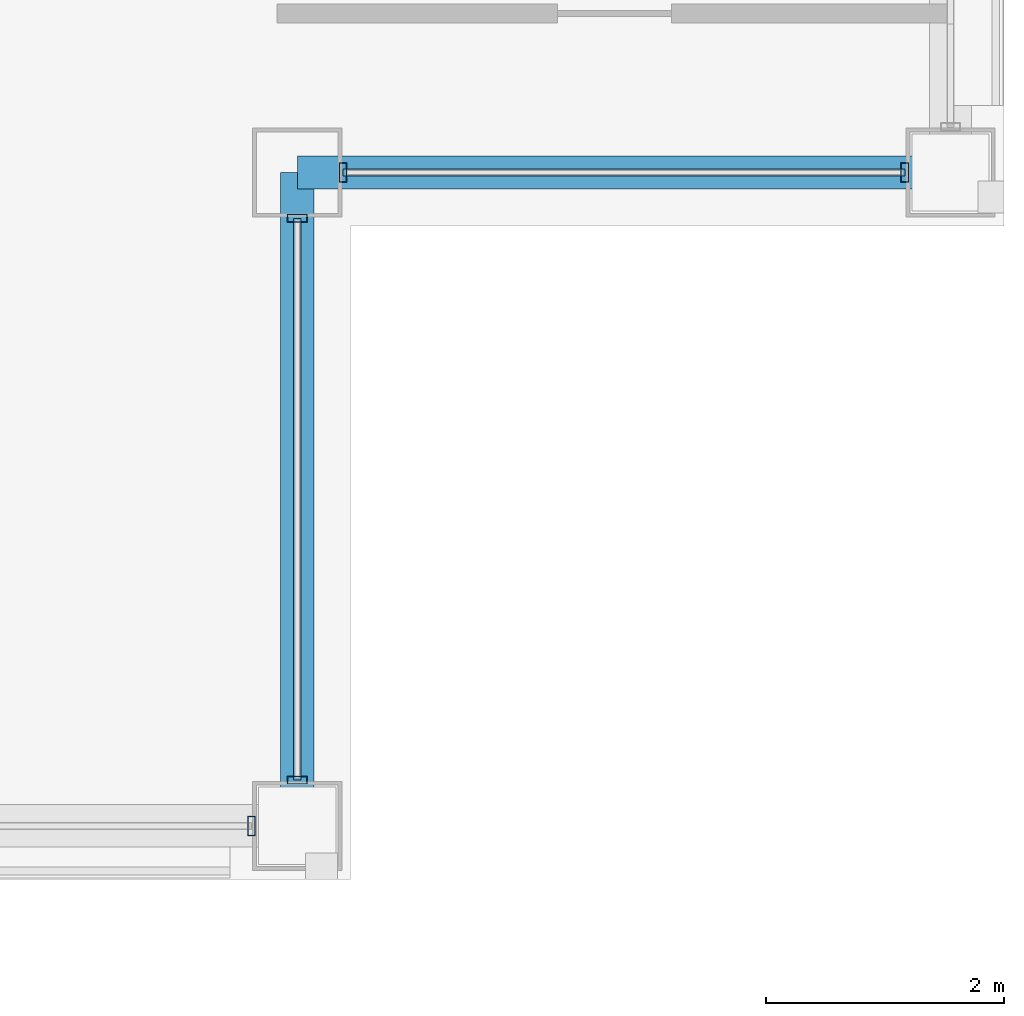
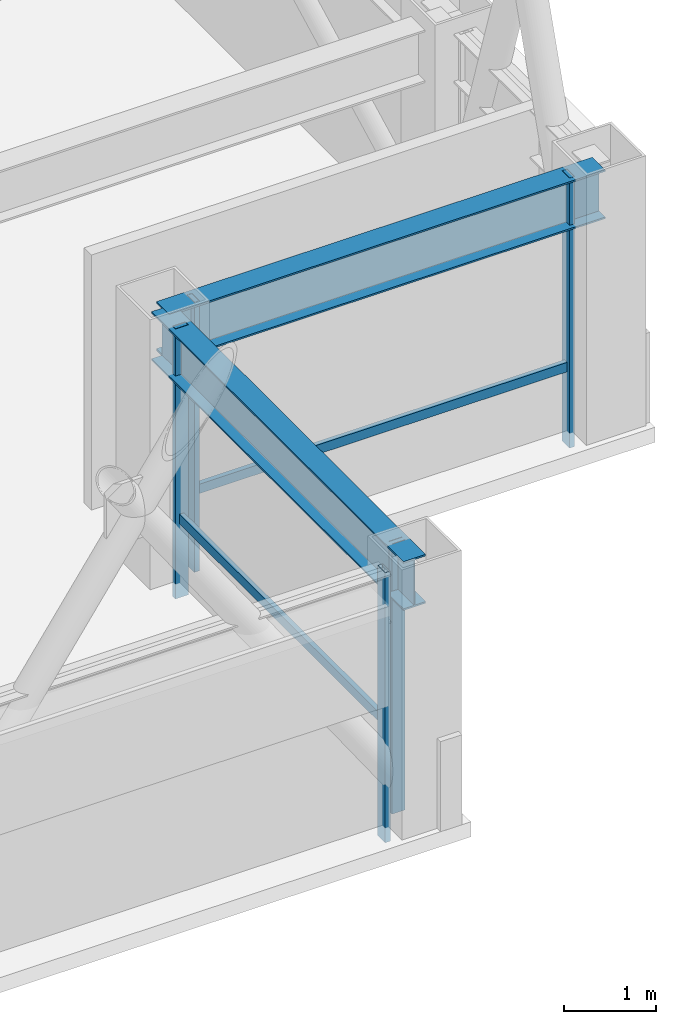
# One storey, part 13 of 32: 7 members, 2 beams, 3 elements without a shape of their own.
"""IFC4 building model written with IfcOpenShell, lengths in metres."""

from ifc_helpers import new_model, si_unit, direction, frame, origin, origin_2d, place, context, subcontext, project, spatial, hollow_rectangle, i_section, extrude, material, layer, layer_set, material_profile, profile_set, type_object, element, aggregate, save


model = new_model("IFC4")

# Units and contexts
model_context = context("Model", 3, precision=1e-05, world=origin(), true_north=direction((0.0, 1.0)))
body_context = subcontext(model_context, "Body", "Model", "MODEL_VIEW")
ifc_project = project(units=[si_unit("LENGTHUNIT", "METRE"), si_unit("AREAUNIT", "SQUARE_METRE"), si_unit("VOLUMEUNIT", "CUBIC_METRE"), si_unit("PLANEANGLEUNIT", "RADIAN"), si_unit("MASSUNIT", "GRAM", prefix="KILO")], contexts=[model_context])

# Site, building, storey
site_placement = place(None, origin())
site = spatial("IfcSite", under=ifc_project, at=site_placement, CompositionType="ELEMENT")
building_placement = place(site_placement, origin())
building = spatial("IfcBuilding", under=site, at=building_placement, Name="Brelmoor Portico Tower", CompositionType="ELEMENT")
storey_placement = place(building_placement, frame((0.0, 0.0, 162.300048828125)))
storey = spatial("IfcBuildingStorey", under=building, at=storey_placement, Name="L42", CompositionType="ELEMENT", Elevation=162.300048828125)

# Beams
ifc_material_1 = material(Name="Steel Q355B", Category="steel")
ifc_material_profile_1 = material_profile(ifc_material_1, i_section(OverallWidth=0.280029296875, OverallDepth=0.64990234375, WebThickness=0.012939453125, FlangeThickness=0.02197265625, at=origin_2d()), Name="HN 650x280x13x22")
ifc_profile_set_1 = profile_set([ifc_material_profile_1], Name="Steel Q355B")
beam_type = type_object("IfcBeamType", Name="BM-SP-650", PredefinedType="SPANDREL", material=ifc_profile_set_1)
for number, where, z_axis, x_axis, name in (
    (1, (15.050048828125, -13.050048828125, 3.074951171875), (1.0, 0.0, 0.0), (0.0, 1.0, 0.0), "L42 Perimeter Spandrel Beam SP-05"),
    (2, (15.050048828125, -18.550048828125, 3.074951171875), (0.0, 1.0, 0.0), (-1.0, 0.0, 0.0), "L42 Perimeter Spandrel Beam SP-16"),
):
    element("IfcBeam", number, at=place(storey_placement, frame(where, z_axis=z_axis, x_axis=x_axis)), inside=storey, type_object=beam_type, Name=name, PredefinedType="SPANDREL", context=body_context, shape_type="SweptSolid", body=[
        extrude(i_section(OverallWidth=0.280029296875, OverallDepth=0.64990234375, WebThickness=0.012939453125, FlangeThickness=0.02197265625, at=origin_2d()), origin(), (0.0, 0.0, 1.0), 5.5),
    ])

# Curtain wall, member
ifc_material_2 = material(Name="Anodised Aluminium Alloy 6063-T6", Category="aluminium")
ifc_layer_1 = layer(ifc_material_2, 0.179931640625)
ifc_layer_set_1 = layer_set([ifc_layer_1], Name="Anodised Aluminium Alloy 6063-T6")
curtain_wall_type_1 = type_object("IfcCurtainWallType", Name="CW-TOWER-Z3-XB", PredefinedType="NOTDEFINED", material=ifc_layer_set_1)
curtain_wall_1_placement = place(storey_placement, origin())
curtain_wall_1 = element("IfcCurtainWall", 3, at=curtain_wall_1_placement, inside=storey, type_object=curtain_wall_type_1, Name="L42 Curtain Wall CW-L42-1R-2", PredefinedType="NOTDEFINED")
ifc_material_profile_2 = material_profile(ifc_material_2, hollow_rectangle(XDim=0.06494140625, YDim=0.1650390625, WallThickness=0.00390625, at=origin_2d()), Name="ALU MULLION 65x165")
ifc_profile_set_2 = profile_set([ifc_material_profile_2], Name="Anodised Aluminium Alloy 6063-T6")
member_type_1 = type_object("IfcMemberType", Name="MB-CW-MULL-165", PredefinedType="MULLION", material=ifc_profile_set_2)
member_1_placement = place(storey_placement, frame((14.6650390625, -18.550048828125, -0.199951171875), z_axis=(0.0, 0.0, 1.0), x_axis=(1.0, 0.0, 0.0)))
member_1 = element("IfcMember", 4, at=member_1_placement, type_object=member_type_1, Name="CW-L42-1R-2 Mullion 01", PredefinedType="MULLION", context=body_context, shape_type="SweptSolid", body=[
    extrude(hollow_rectangle(XDim=0.06494140625, YDim=0.1650390625, WallThickness=0.00390625, at=origin_2d()), origin(), (0.0, 0.0, 1.0), 3.599853515625),
])
aggregate(curtain_wall_1, [member_1])

# Curtain wall, members
ifc_layer_2 = layer(ifc_material_2, 0.179931640625)
ifc_layer_set_2 = layer_set([ifc_layer_2], Name="Anodised Aluminium Alloy 6063-T6")
curtain_wall_type_2 = type_object("IfcCurtainWallType", Name="CW-NOTCH-CHAMFER", PredefinedType="NOTDEFINED", material=ifc_layer_set_2)
curtain_wall_2_placement = place(storey_placement, origin())
curtain_wall_2 = element("IfcCurtainWall", 5, at=curtain_wall_2_placement, inside=storey, type_object=curtain_wall_type_2, Name="L42 Curtain Wall CWN-L42-SEH", PredefinedType="NOTDEFINED")
member_2_placement = place(storey_placement, frame((15.43505859375, -13.050048828125, -0.199951171875), z_axis=(0.0, 0.0, 1.0), x_axis=(1.0, 0.0, 0.0)))
member_2 = element("IfcMember", 6, at=member_2_placement, type_object=member_type_1, Name="CWN-L42-SEH Mullion 00", PredefinedType="MULLION", context=body_context, shape_type="SweptSolid", body=[
    extrude(hollow_rectangle(XDim=0.06494140625, YDim=0.1650390625, WallThickness=0.00390625, at=origin_2d()), origin(), (0.0, 0.0, 1.0), 3.599853515625),
])
member_3_placement = place(storey_placement, frame((20.1650390625, -13.050048828125, -0.199951171875), z_axis=(0.0, 0.0, 1.0), x_axis=(1.0, 0.0, 0.0)))
member_3 = element("IfcMember", 7, at=member_3_placement, type_object=member_type_1, Name="CWN-L42-SEH Mullion 01", PredefinedType="MULLION", context=body_context, shape_type="SweptSolid", body=[
    extrude(hollow_rectangle(XDim=0.06494140625, YDim=0.1650390625, WallThickness=0.00390625, at=origin_2d()), origin(), (0.0, 0.0, 1.0), 3.599853515625),
])

curtain_wall_3_placement = place(storey_placement, origin())
curtain_wall_3 = element("IfcCurtainWall", 8, at=curtain_wall_3_placement, inside=storey, type_object=curtain_wall_type_2, Name="L42 Curtain Wall CWN-L42-SEV", PredefinedType="NOTDEFINED")
member_4_placement = place(storey_placement, frame((15.050048828125, -18.1650390625, -0.199951171875), z_axis=(0.0, 0.0, 1.0), x_axis=(0.0, 1.0, 0.0)))
member_4 = element("IfcMember", 9, at=member_4_placement, type_object=member_type_1, Name="CWN-L42-SEV Mullion 00", PredefinedType="MULLION", context=body_context, shape_type="SweptSolid", body=[
    extrude(hollow_rectangle(XDim=0.06494140625, YDim=0.1650390625, WallThickness=0.00390625, at=origin_2d()), origin(), (0.0, 0.0, 1.0), 3.599853515625),
])
member_5_placement = place(storey_placement, frame((15.050048828125, -13.43505859375, -0.199951171875), z_axis=(0.0, 0.0, 1.0), x_axis=(0.0, 1.0, 0.0)))
member_5 = element("IfcMember", 10, at=member_5_placement, type_object=member_type_1, Name="CWN-L42-SEV Mullion 01", PredefinedType="MULLION", context=body_context, shape_type="SweptSolid", body=[
    extrude(hollow_rectangle(XDim=0.06494140625, YDim=0.1650390625, WallThickness=0.00390625, at=origin_2d()), origin(), (0.0, 0.0, 1.0), 3.599853515625),
])

# Member
ifc_material_profile_3 = material_profile(ifc_material_2, hollow_rectangle(XDim=0.06005859375, YDim=0.125, WallThickness=0.00341796875, at=origin_2d()), Name="ALU TRANSOM 60x125")
ifc_profile_set_3 = profile_set([ifc_material_profile_3], Name="Anodised Aluminium Alloy 6063-T6")
member_type_2 = type_object("IfcMemberType", Name="MB-CW-TRAN-125", PredefinedType="USERDEFINED", material=ifc_profile_set_3)
member_6_placement = place(storey_placement, frame((15.43505859375, -13.050048828125, 0.849853515625), z_axis=(1.0, 0.0, 0.0), x_axis=(0.0, 1.0, 0.0)))
member_6 = element("IfcMember", 11, at=member_6_placement, type_object=member_type_2, Name="CWN-L42-SEH Transom 1-00", ObjectType="TRANSOM", PredefinedType="USERDEFINED", context=body_context, shape_type="SweptSolid", body=[
    extrude(hollow_rectangle(XDim=0.06005859375, YDim=0.125, WallThickness=0.00341796875, at=origin_2d()), origin(), (0.0, 0.0, 1.0), 4.72998046875),
])

aggregate(curtain_wall_2, [member_2, member_3, member_6])

member_7_placement = place(storey_placement, frame((15.050048828125, -18.1650390625, 0.849853515625), z_axis=(0.0, 1.0, 0.0), x_axis=(-1.0, 0.0, 0.0)))
member_7 = element("IfcMember", 12, at=member_7_placement, type_object=member_type_2, Name="CWN-L42-SEV Transom 1-00", ObjectType="TRANSOM", PredefinedType="USERDEFINED", context=body_context, shape_type="SweptSolid", body=[
    extrude(hollow_rectangle(XDim=0.06005859375, YDim=0.125, WallThickness=0.00341796875, at=origin_2d()), origin(), (0.0, 0.0, 1.0), 4.72998046875),
])

aggregate(curtain_wall_3, [member_4, member_5, member_7])

save(model, "model.ifc")
